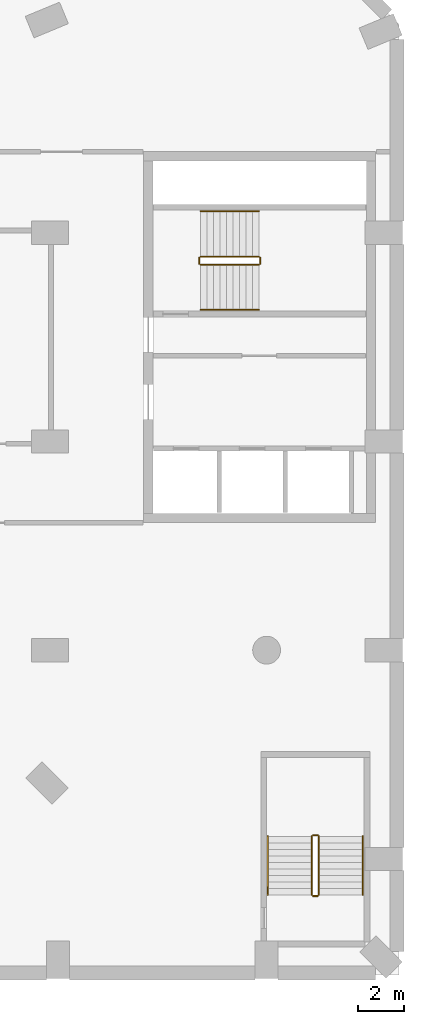
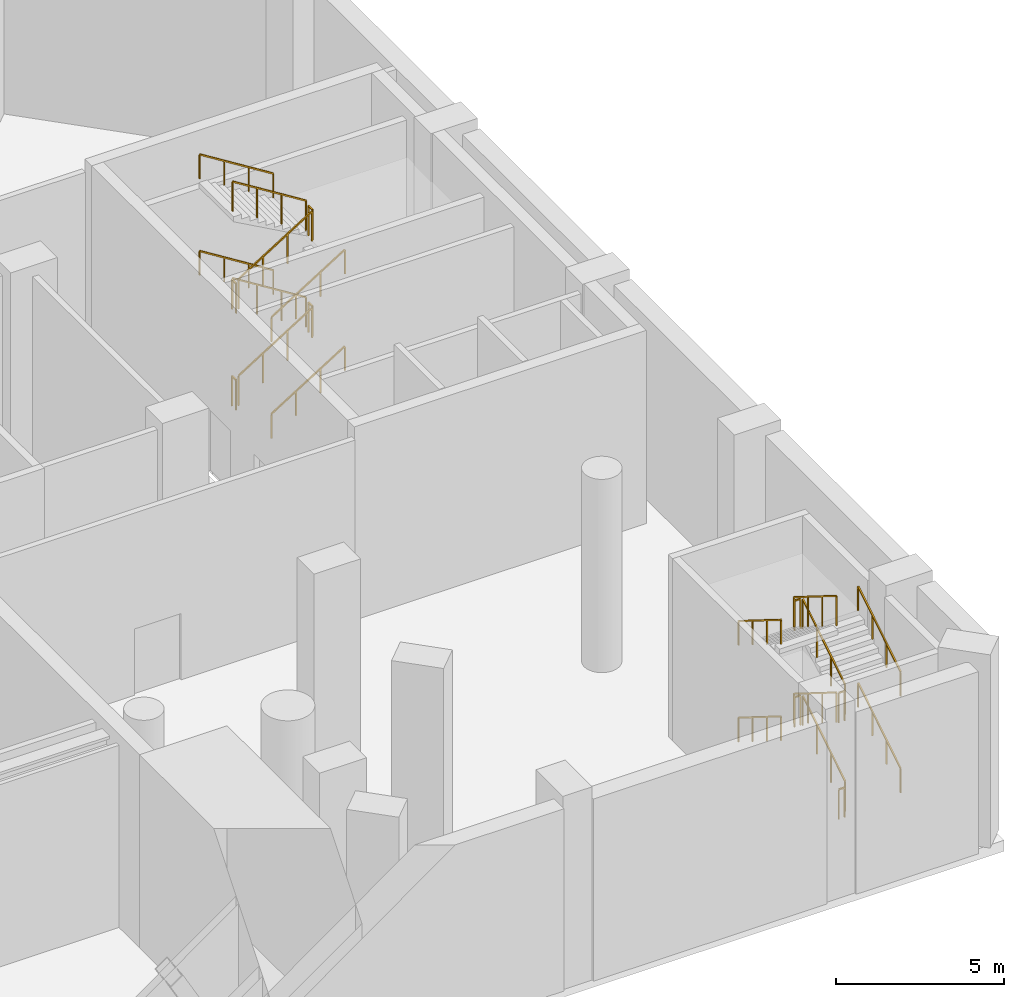
# One storey, part 21 of 21: 24 railings.
"""IFC4 building model written with IfcOpenShell, lengths in metres."""

from ifc_helpers import new_model, si_unit, direction, frame, origin, origin_2d, place, context, subcontext, project, spatial, rectangle, extrude, material, type_object, element, save


model = new_model("IFC4")

# Units and contexts
model_context = context("Model", 3, precision=1e-05, world=origin(), true_north=direction((0.0, 1.0)))
body_context = subcontext(model_context, "Body", "Model", "MODEL_VIEW")
ifc_project = project(units=[si_unit("LENGTHUNIT", "METRE"), si_unit("AREAUNIT", "SQUARE_METRE"), si_unit("VOLUMEUNIT", "CUBIC_METRE"), si_unit("PLANEANGLEUNIT", "RADIAN"), si_unit("MASSUNIT", "GRAM", prefix="KILO")], contexts=[model_context])

# Site, building, storey
site_placement = place(None, origin())
site = spatial("IfcSite", under=ifc_project, at=site_placement, CompositionType="ELEMENT")
building_placement = place(site_placement, origin())
building = spatial("IfcBuilding", under=site, at=building_placement, Name="Cypress Arch Tower", CompositionType="ELEMENT")
storey_placement = place(building_placement, frame((0.0, 0.0, 29.0)))
storey = spatial("IfcBuildingStorey", under=building, at=storey_placement, Name="L03", CompositionType="ELEMENT", Elevation=29.0)

# Railings
ifc_material_1 = material(Name="Black powder-coated steel square bar 48 mm", Category="steel")
railing_type_1 = type_object("IfcRailingType", Name="Stair handrail HR1", PredefinedType="HANDRAIL", material=ifc_material_1)
railing_1_placement = place(storey_placement, frame((30.449951171875, 1.175048828125, 0.175048828125)))
element("IfcRailing", 1, at=railing_1_placement, inside=storey, type_object=railing_type_1, Name="L03 P3 stair handrail 1", PredefinedType="HANDRAIL", context=body_context, shape_type="SweptSolid", body=[
    extrude(rectangle(XDim=0.048095703125, YDim=0.048095703125, at=origin_2d()), frame((0.0, 0.0, 0.8759765625), z_axis=(0.848007534815, 0.0, 0.529984170421), x_axis=(0.0, 1.0, 0.0)), (0.0, 0.0, 1.0), 2.9716796875),
    extrude(rectangle(XDim=0.0419921875, YDim=0.0419921875, at=origin_2d()), origin(), (0.0, 0.0, 1.0), 0.851806640625),
    extrude(rectangle(XDim=0.0419921875, YDim=0.0419921875, at=origin_2d()), frame((0.840087890625, 0.0, 0.52490234375)), (0.0, 0.0, 1.0), 0.851806640625),
    extrude(rectangle(XDim=0.0419921875, YDim=0.0419921875, at=origin_2d()), frame((1.679931640625, 0.0, 1.050048828125)), (0.0, 0.0, 1.0), 0.851806640625),
    extrude(rectangle(XDim=0.0419921875, YDim=0.0419921875, at=origin_2d()), frame((2.52001953125, 0.0, 1.574951171875)), (0.0, 0.0, 1.0), 0.851806640625),
])
railing_2_placement = place(storey_placement, frame((32.969970703125, 5.425048828125, 1.925048828125)))
element("IfcRailing", 2, at=railing_2_placement, inside=storey, type_object=railing_type_1, Name="L03 P3 stair handrail 2", PredefinedType="HANDRAIL", context=body_context, shape_type="SweptSolid", body=[
    extrude(rectangle(XDim=0.048095703125, YDim=0.048095703125, at=origin_2d()), frame((0.0, 0.0, 0.8759765625), z_axis=(-0.848007534815, 0.0, 0.529984170421), x_axis=(0.0, -1.0, 0.0)), (0.0, 0.0, 1.0), 2.9716796875),
    extrude(rectangle(XDim=0.0419921875, YDim=0.0419921875, at=origin_2d()), origin(), (0.0, 0.0, 1.0), 0.851806640625),
    extrude(rectangle(XDim=0.0419921875, YDim=0.0419921875, at=origin_2d()), frame((-0.840087890625, 0.0, 0.52490234375)), (0.0, 0.0, 1.0), 0.851806640625),
    extrude(rectangle(XDim=0.0419921875, YDim=0.0419921875, at=origin_2d()), frame((-1.679931640625, 0.0, 1.050048828125)), (0.0, 0.0, 1.0), 0.851806640625),
    extrude(rectangle(XDim=0.0419921875, YDim=0.0419921875, at=origin_2d()), frame((-2.52001953125, 0.0, 1.574951171875)), (0.0, 0.0, 1.0), 0.851806640625),
])
railing_3_placement = place(storey_placement, frame((30.449951171875, 1.175048828125, 3.675048828125)))
element("IfcRailing", 3, at=railing_3_placement, inside=storey, type_object=railing_type_1, Name="L03 P3 stair handrail 3", PredefinedType="HANDRAIL", context=body_context, shape_type="SweptSolid", body=[
    extrude(rectangle(XDim=0.048095703125, YDim=0.048095703125, at=origin_2d()), frame((0.0, 0.0, 0.8759765625), z_axis=(0.848007534815, 0.0, 0.529984170421), x_axis=(0.0, 1.0, 0.0)), (0.0, 0.0, 1.0), 2.9716796875),
    extrude(rectangle(XDim=0.0419921875, YDim=0.0419921875, at=origin_2d()), origin(), (0.0, 0.0, 1.0), 0.851806640625),
    extrude(rectangle(XDim=0.0419921875, YDim=0.0419921875, at=origin_2d()), frame((0.840087890625, 0.0, 0.52490234375)), (0.0, 0.0, 1.0), 0.851806640625),
    extrude(rectangle(XDim=0.0419921875, YDim=0.0419921875, at=origin_2d()), frame((1.679931640625, 0.0, 1.050048828125)), (0.0, 0.0, 1.0), 0.851806640625),
    extrude(rectangle(XDim=0.0419921875, YDim=0.0419921875, at=origin_2d()), frame((2.52001953125, 0.0, 1.574951171875)), (0.0, 0.0, 1.0), 0.851806640625),
])
railing_4_placement = place(storey_placement, frame((32.969970703125, 5.425048828125, 5.425048828125)))
element("IfcRailing", 4, at=railing_4_placement, inside=storey, type_object=railing_type_1, Name="L03 P3 stair handrail 4", PredefinedType="HANDRAIL", context=body_context, shape_type="SweptSolid", body=[
    extrude(rectangle(XDim=0.048095703125, YDim=0.048095703125, at=origin_2d()), frame((0.0, 0.0, 0.8759765625), z_axis=(-0.848007534815, 0.0, 0.529984170421), x_axis=(0.0, -1.0, 0.0)), (0.0, 0.0, 1.0), 2.9716796875),
    extrude(rectangle(XDim=0.0419921875, YDim=0.0419921875, at=origin_2d()), origin(), (0.0, 0.0, 1.0), 0.851806640625),
    extrude(rectangle(XDim=0.0419921875, YDim=0.0419921875, at=origin_2d()), frame((-0.840087890625, 0.0, 0.52490234375)), (0.0, 0.0, 1.0), 0.851806640625),
    extrude(rectangle(XDim=0.0419921875, YDim=0.0419921875, at=origin_2d()), frame((-1.679931640625, 0.0, 1.050048828125)), (0.0, 0.0, 1.0), 0.851806640625),
    extrude(rectangle(XDim=0.0419921875, YDim=0.0419921875, at=origin_2d()), frame((-2.52001953125, 0.0, 1.574951171875)), (0.0, 0.0, 1.0), 0.851806640625),
])
railing_5_placement = place(storey_placement, frame((37.449951171875, -24.050048828125, 0.175048828125)))
element("IfcRailing", 5, at=railing_5_placement, inside=storey, type_object=railing_type_1, Name="L03 P4 stair handrail 1", PredefinedType="HANDRAIL", context=body_context, shape_type="SweptSolid", body=[
    extrude(rectangle(XDim=0.048095703125, YDim=0.048095703125, at=origin_2d()), frame((0.0, 0.0, 0.8759765625), z_axis=(0.0, 0.848007534815, 0.529984170421), x_axis=(-1.0, 0.0, 0.0)), (0.0, 0.0, 1.0), 2.9716796875),
    extrude(rectangle(XDim=0.0419921875, YDim=0.0419921875, at=origin_2d()), origin(), (0.0, 0.0, 1.0), 0.851806640625),
    extrude(rectangle(XDim=0.0419921875, YDim=0.0419921875, at=origin_2d()), frame((0.0, 0.840087890625, 0.52490234375)), (0.0, 0.0, 1.0), 0.851806640625),
    extrude(rectangle(XDim=0.0419921875, YDim=0.0419921875, at=origin_2d()), frame((0.0, 1.679931640625, 1.050048828125)), (0.0, 0.0, 1.0), 0.851806640625),
    extrude(rectangle(XDim=0.0419921875, YDim=0.0419921875, at=origin_2d()), frame((0.0, 2.52001953125, 1.574951171875)), (0.0, 0.0, 1.0), 0.851806640625),
])
railing_6_placement = place(storey_placement, frame((33.35009765625, -21.530029296875, 1.925048828125)))
element("IfcRailing", 6, at=railing_6_placement, inside=storey, type_object=railing_type_1, Name="L03 P4 stair handrail 2", PredefinedType="HANDRAIL", context=body_context, shape_type="SweptSolid", body=[
    extrude(rectangle(XDim=0.048095703125, YDim=0.048095703125, at=origin_2d()), frame((0.0, 0.0, 0.8759765625), z_axis=(0.0, -0.848007534815, 0.529984170421), x_axis=(1.0, 0.0, 0.0)), (0.0, 0.0, 1.0), 2.9716796875),
    extrude(rectangle(XDim=0.0419921875, YDim=0.0419921875, at=origin_2d()), origin(), (0.0, 0.0, 1.0), 0.851806640625),
    extrude(rectangle(XDim=0.0419921875, YDim=0.0419921875, at=origin_2d()), frame((0.0, -0.840087890625, 0.52490234375)), (0.0, 0.0, 1.0), 0.851806640625),
    extrude(rectangle(XDim=0.0419921875, YDim=0.0419921875, at=origin_2d()), frame((0.0, -1.679931640625, 1.050048828125)), (0.0, 0.0, 1.0), 0.851806640625),
    extrude(rectangle(XDim=0.0419921875, YDim=0.0419921875, at=origin_2d()), frame((0.0, -2.52001953125, 1.574951171875)), (0.0, 0.0, 1.0), 0.851806640625),
])
railing_7_placement = place(storey_placement, frame((37.449951171875, -24.050048828125, 3.675048828125)))
element("IfcRailing", 7, at=railing_7_placement, inside=storey, type_object=railing_type_1, Name="L03 P4 stair handrail 3", PredefinedType="HANDRAIL", context=body_context, shape_type="SweptSolid", body=[
    extrude(rectangle(XDim=0.048095703125, YDim=0.048095703125, at=origin_2d()), frame((0.0, 0.0, 0.8759765625), z_axis=(0.0, 0.848007534815, 0.529984170421), x_axis=(-1.0, 0.0, 0.0)), (0.0, 0.0, 1.0), 2.9716796875),
    extrude(rectangle(XDim=0.0419921875, YDim=0.0419921875, at=origin_2d()), origin(), (0.0, 0.0, 1.0), 0.851806640625),
    extrude(rectangle(XDim=0.0419921875, YDim=0.0419921875, at=origin_2d()), frame((0.0, 0.840087890625, 0.52490234375)), (0.0, 0.0, 1.0), 0.851806640625),
    extrude(rectangle(XDim=0.0419921875, YDim=0.0419921875, at=origin_2d()), frame((0.0, 1.679931640625, 1.050048828125)), (0.0, 0.0, 1.0), 0.851806640625),
    extrude(rectangle(XDim=0.0419921875, YDim=0.0419921875, at=origin_2d()), frame((0.0, 2.52001953125, 1.574951171875)), (0.0, 0.0, 1.0), 0.851806640625),
])
railing_8_placement = place(storey_placement, frame((33.35009765625, -21.530029296875, 5.425048828125)))
element("IfcRailing", 8, at=railing_8_placement, inside=storey, type_object=railing_type_1, Name="L03 P4 stair handrail 4", PredefinedType="HANDRAIL", context=body_context, shape_type="SweptSolid", body=[
    extrude(rectangle(XDim=0.048095703125, YDim=0.048095703125, at=origin_2d()), frame((0.0, 0.0, 0.8759765625), z_axis=(0.0, -0.848007534815, 0.529984170421), x_axis=(1.0, 0.0, 0.0)), (0.0, 0.0, 1.0), 2.9716796875),
    extrude(rectangle(XDim=0.0419921875, YDim=0.0419921875, at=origin_2d()), origin(), (0.0, 0.0, 1.0), 0.851806640625),
    extrude(rectangle(XDim=0.0419921875, YDim=0.0419921875, at=origin_2d()), frame((0.0, -0.840087890625, 0.52490234375)), (0.0, 0.0, 1.0), 0.851806640625),
    extrude(rectangle(XDim=0.0419921875, YDim=0.0419921875, at=origin_2d()), frame((0.0, -1.679931640625, 1.050048828125)), (0.0, 0.0, 1.0), 0.851806640625),
    extrude(rectangle(XDim=0.0419921875, YDim=0.0419921875, at=origin_2d()), frame((0.0, -2.52001953125, 1.574951171875)), (0.0, 0.0, 1.0), 0.851806640625),
])
ifc_material_2 = material(Name="Black powder-coated steel balusters", Category="steel")
railing_type_2 = type_object("IfcRailingType", Name="Stair well guard G1", PredefinedType="GUARDRAIL", material=ifc_material_2)
railing_9_placement = place(storey_placement, frame((30.449951171875, 3.125, 0.175048828125)))
element("IfcRailing", 9, at=railing_9_placement, inside=storey, type_object=railing_type_2, Name="L03 P3 stair guard 1", PredefinedType="GUARDRAIL", context=body_context, shape_type="SweptSolid", body=[
    extrude(rectangle(XDim=0.048095703125, YDim=0.048095703125, at=origin_2d()), frame((0.0, 0.0, 1.076171875), z_axis=(0.848007534815, 0.0, 0.529984170421), x_axis=(0.0, 1.0, 0.0)), (0.0, 0.0, 1.0), 2.9716796875),
    extrude(rectangle(XDim=0.0419921875, YDim=0.0419921875, at=origin_2d()), origin(), (0.0, 0.0, 1.0), 1.052001953125),
    extrude(rectangle(XDim=0.0419921875, YDim=0.0419921875, at=origin_2d()), frame((0.840087890625, 0.0, 0.52490234375)), (0.0, 0.0, 1.0), 1.052001953125),
    extrude(rectangle(XDim=0.0419921875, YDim=0.0419921875, at=origin_2d()), frame((1.679931640625, 0.0, 1.050048828125)), (0.0, 0.0, 1.0), 1.052001953125),
    extrude(rectangle(XDim=0.0419921875, YDim=0.0419921875, at=origin_2d()), frame((2.52001953125, 0.0, 1.574951171875)), (0.0, 0.0, 1.0), 1.052001953125),
])
railing_10_placement = place(storey_placement, frame((33.02001953125, 3.175048828125, 1.75)))
element("IfcRailing", 10, at=railing_10_placement, inside=storey, type_object=railing_type_2, Name="L03 P3 stair guard 2", PredefinedType="GUARDRAIL", context=body_context, shape_type="SweptSolid", body=[
    extrude(rectangle(XDim=0.048095703125, YDim=0.048095703125, at=origin_2d()), frame((0.0, 0.0, 1.076171875), z_axis=(0.0, 1.0, 0.0), x_axis=(-1.0, 0.0, 0.0)), (0.0, 0.0, 1.0), 0.25),
    extrude(rectangle(XDim=0.0419921875, YDim=0.0419921875, at=origin_2d()), origin(), (0.0, 0.0, 1.0), 1.052001953125),
    extrude(rectangle(XDim=0.0419921875, YDim=0.0419921875, at=origin_2d()), frame((0.0, 0.25, 0.0)), (0.0, 0.0, 1.0), 1.052001953125),
])
railing_11_placement = place(storey_placement, frame((32.969970703125, 3.47509765625, 1.925048828125)))
element("IfcRailing", 11, at=railing_11_placement, inside=storey, type_object=railing_type_2, Name="L03 P3 stair guard 3", PredefinedType="GUARDRAIL", context=body_context, shape_type="SweptSolid", body=[
    extrude(rectangle(XDim=0.048095703125, YDim=0.048095703125, at=origin_2d()), frame((0.0, 0.0, 1.076171875), z_axis=(-0.848007534815, 0.0, 0.529984170421), x_axis=(0.0, -1.0, 0.0)), (0.0, 0.0, 1.0), 2.9716796875),
    extrude(rectangle(XDim=0.0419921875, YDim=0.0419921875, at=origin_2d()), origin(), (0.0, 0.0, 1.0), 1.052001953125),
    extrude(rectangle(XDim=0.0419921875, YDim=0.0419921875, at=origin_2d()), frame((-0.840087890625, 0.0, 0.52490234375)), (0.0, 0.0, 1.0), 1.052001953125),
    extrude(rectangle(XDim=0.0419921875, YDim=0.0419921875, at=origin_2d()), frame((-1.679931640625, 0.0, 1.050048828125)), (0.0, 0.0, 1.0), 1.052001953125),
    extrude(rectangle(XDim=0.0419921875, YDim=0.0419921875, at=origin_2d()), frame((-2.52001953125, 0.0, 1.574951171875)), (0.0, 0.0, 1.0), 1.052001953125),
])
railing_12_placement = place(storey_placement, frame((30.39990234375, 3.175048828125, 3.5)))
element("IfcRailing", 12, at=railing_12_placement, inside=storey, type_object=railing_type_2, Name="L03 P3 stair guard 4", PredefinedType="GUARDRAIL", context=body_context, shape_type="SweptSolid", body=[
    extrude(rectangle(XDim=0.048095703125, YDim=0.048095703125, at=origin_2d()), frame((0.0, 0.0, 1.076171875), z_axis=(0.0, 1.0, 0.0), x_axis=(-1.0, 0.0, 0.0)), (0.0, 0.0, 1.0), 0.25),
    extrude(rectangle(XDim=0.0419921875, YDim=0.0419921875, at=origin_2d()), origin(), (0.0, 0.0, 1.0), 1.052001953125),
    extrude(rectangle(XDim=0.0419921875, YDim=0.0419921875, at=origin_2d()), frame((0.0, 0.25, 0.0)), (0.0, 0.0, 1.0), 1.052001953125),
])
railing_13_placement = place(storey_placement, frame((30.449951171875, 3.125, 3.675048828125)))
element("IfcRailing", 13, at=railing_13_placement, inside=storey, type_object=railing_type_2, Name="L03 P3 stair guard 5", PredefinedType="GUARDRAIL", context=body_context, shape_type="SweptSolid", body=[
    extrude(rectangle(XDim=0.048095703125, YDim=0.048095703125, at=origin_2d()), frame((0.0, 0.0, 1.076171875), z_axis=(0.848007534815, 0.0, 0.529984170421), x_axis=(0.0, 1.0, 0.0)), (0.0, 0.0, 1.0), 2.9716796875),
    extrude(rectangle(XDim=0.0419921875, YDim=0.0419921875, at=origin_2d()), origin(), (0.0, 0.0, 1.0), 1.052001953125),
    extrude(rectangle(XDim=0.0419921875, YDim=0.0419921875, at=origin_2d()), frame((0.840087890625, 0.0, 0.52490234375)), (0.0, 0.0, 1.0), 1.052001953125),
    extrude(rectangle(XDim=0.0419921875, YDim=0.0419921875, at=origin_2d()), frame((1.679931640625, 0.0, 1.050048828125)), (0.0, 0.0, 1.0), 1.052001953125),
    extrude(rectangle(XDim=0.0419921875, YDim=0.0419921875, at=origin_2d()), frame((2.52001953125, 0.0, 1.574951171875)), (0.0, 0.0, 1.0), 1.052001953125),
])
railing_14_placement = place(storey_placement, frame((33.02001953125, 3.175048828125, 5.25)))
element("IfcRailing", 14, at=railing_14_placement, inside=storey, type_object=railing_type_2, Name="L03 P3 stair guard 6", PredefinedType="GUARDRAIL", context=body_context, shape_type="SweptSolid", body=[
    extrude(rectangle(XDim=0.048095703125, YDim=0.048095703125, at=origin_2d()), frame((0.0, 0.0, 1.076171875), z_axis=(0.0, 1.0, 0.0), x_axis=(-1.0, 0.0, 0.0)), (0.0, 0.0, 1.0), 0.25),
    extrude(rectangle(XDim=0.0419921875, YDim=0.0419921875, at=origin_2d()), origin(), (0.0, 0.0, 1.0), 1.052001953125),
    extrude(rectangle(XDim=0.0419921875, YDim=0.0419921875, at=origin_2d()), frame((0.0, 0.25, 0.0)), (0.0, 0.0, 1.0), 1.052001953125),
])
railing_15_placement = place(storey_placement, frame((32.969970703125, 3.47509765625, 5.425048828125)))
element("IfcRailing", 15, at=railing_15_placement, inside=storey, type_object=railing_type_2, Name="L03 P3 stair guard 7", PredefinedType="GUARDRAIL", context=body_context, shape_type="SweptSolid", body=[
    extrude(rectangle(XDim=0.048095703125, YDim=0.048095703125, at=origin_2d()), frame((0.0, 0.0, 1.076171875), z_axis=(-0.848007534815, 0.0, 0.529984170421), x_axis=(0.0, -1.0, 0.0)), (0.0, 0.0, 1.0), 2.9716796875),
    extrude(rectangle(XDim=0.0419921875, YDim=0.0419921875, at=origin_2d()), origin(), (0.0, 0.0, 1.0), 1.052001953125),
    extrude(rectangle(XDim=0.0419921875, YDim=0.0419921875, at=origin_2d()), frame((-0.840087890625, 0.0, 0.52490234375)), (0.0, 0.0, 1.0), 1.052001953125),
    extrude(rectangle(XDim=0.0419921875, YDim=0.0419921875, at=origin_2d()), frame((-1.679931640625, 0.0, 1.050048828125)), (0.0, 0.0, 1.0), 1.052001953125),
    extrude(rectangle(XDim=0.0419921875, YDim=0.0419921875, at=origin_2d()), frame((-2.52001953125, 0.0, 1.574951171875)), (0.0, 0.0, 1.0), 1.052001953125),
])
railing_16_placement = place(storey_placement, frame((30.39990234375, 3.175048828125, 0.0)))
element("IfcRailing", 16, at=railing_16_placement, inside=storey, type_object=railing_type_2, Name="L03 P3 stair guard 8", PredefinedType="GUARDRAIL", context=body_context, shape_type="SweptSolid", body=[
    extrude(rectangle(XDim=0.048095703125, YDim=0.048095703125, at=origin_2d()), frame((0.0, 0.0, 1.076171875), z_axis=(0.0, 1.0, 0.0), x_axis=(-1.0, 0.0, 0.0)), (0.0, 0.0, 1.0), 0.25),
    extrude(rectangle(XDim=0.0419921875, YDim=0.0419921875, at=origin_2d()), origin(), (0.0, 0.0, 1.0), 1.052001953125),
    extrude(rectangle(XDim=0.0419921875, YDim=0.0419921875, at=origin_2d()), frame((0.0, 0.25, 0.0)), (0.0, 0.0, 1.0), 1.052001953125),
])
railing_17_placement = place(storey_placement, frame((35.550048828125, -24.050048828125, 0.175048828125)))
element("IfcRailing", 17, at=railing_17_placement, inside=storey, type_object=railing_type_2, Name="L03 P4 stair guard 1", PredefinedType="GUARDRAIL", context=body_context, shape_type="SweptSolid", body=[
    extrude(rectangle(XDim=0.048095703125, YDim=0.048095703125, at=origin_2d()), frame((0.0, 0.0, 1.076171875), z_axis=(0.0, 0.848007534815, 0.529984170421), x_axis=(-1.0, 0.0, 0.0)), (0.0, 0.0, 1.0), 2.9716796875),
    extrude(rectangle(XDim=0.0419921875, YDim=0.0419921875, at=origin_2d()), origin(), (0.0, 0.0, 1.0), 1.052001953125),
    extrude(rectangle(XDim=0.0419921875, YDim=0.0419921875, at=origin_2d()), frame((0.0, 0.840087890625, 0.52490234375)), (0.0, 0.0, 1.0), 1.052001953125),
    extrude(rectangle(XDim=0.0419921875, YDim=0.0419921875, at=origin_2d()), frame((0.0, 1.679931640625, 1.050048828125)), (0.0, 0.0, 1.0), 1.052001953125),
    extrude(rectangle(XDim=0.0419921875, YDim=0.0419921875, at=origin_2d()), frame((0.0, 2.52001953125, 1.574951171875)), (0.0, 0.0, 1.0), 1.052001953125),
])
railing_18_placement = place(storey_placement, frame((35.5, -21.47998046875, 1.75)))
element("IfcRailing", 18, at=railing_18_placement, inside=storey, type_object=railing_type_2, Name="L03 P4 stair guard 2", PredefinedType="GUARDRAIL", context=body_context, shape_type="SweptSolid", body=[
    extrude(rectangle(XDim=0.048095703125, YDim=0.048095703125, at=origin_2d()), frame((0.0, 0.0, 1.076171875), z_axis=(-1.0, 0.0, 0.0), x_axis=(0.0, -1.0, 0.0)), (0.0, 0.0, 1.0), 0.199951171875),
    extrude(rectangle(XDim=0.0419921875, YDim=0.0419921875, at=origin_2d()), origin(), (0.0, 0.0, 1.0), 1.052001953125),
    extrude(rectangle(XDim=0.0419921875, YDim=0.0419921875, at=origin_2d()), frame((-0.199951171875, 0.0, 0.0)), (0.0, 0.0, 1.0), 1.052001953125),
])
railing_19_placement = place(storey_placement, frame((35.25, -21.530029296875, 1.925048828125)))
element("IfcRailing", 19, at=railing_19_placement, inside=storey, type_object=railing_type_2, Name="L03 P4 stair guard 3", PredefinedType="GUARDRAIL", context=body_context, shape_type="SweptSolid", body=[
    extrude(rectangle(XDim=0.048095703125, YDim=0.048095703125, at=origin_2d()), frame((0.0, 0.0, 1.076171875), z_axis=(0.0, -0.848007534815, 0.529984170421), x_axis=(1.0, 0.0, 0.0)), (0.0, 0.0, 1.0), 2.9716796875),
    extrude(rectangle(XDim=0.0419921875, YDim=0.0419921875, at=origin_2d()), origin(), (0.0, 0.0, 1.0), 1.052001953125),
    extrude(rectangle(XDim=0.0419921875, YDim=0.0419921875, at=origin_2d()), frame((0.0, -0.840087890625, 0.52490234375)), (0.0, 0.0, 1.0), 1.052001953125),
    extrude(rectangle(XDim=0.0419921875, YDim=0.0419921875, at=origin_2d()), frame((0.0, -1.679931640625, 1.050048828125)), (0.0, 0.0, 1.0), 1.052001953125),
    extrude(rectangle(XDim=0.0419921875, YDim=0.0419921875, at=origin_2d()), frame((0.0, -2.52001953125, 1.574951171875)), (0.0, 0.0, 1.0), 1.052001953125),
])
railing_20_placement = place(storey_placement, frame((35.5, -24.10009765625, 3.5)))
element("IfcRailing", 20, at=railing_20_placement, inside=storey, type_object=railing_type_2, Name="L03 P4 stair guard 4", PredefinedType="GUARDRAIL", context=body_context, shape_type="SweptSolid", body=[
    extrude(rectangle(XDim=0.048095703125, YDim=0.048095703125, at=origin_2d()), frame((0.0, 0.0, 1.076171875), z_axis=(-1.0, 0.0, 0.0), x_axis=(0.0, -1.0, 0.0)), (0.0, 0.0, 1.0), 0.199951171875),
    extrude(rectangle(XDim=0.0419921875, YDim=0.0419921875, at=origin_2d()), origin(), (0.0, 0.0, 1.0), 1.052001953125),
    extrude(rectangle(XDim=0.0419921875, YDim=0.0419921875, at=origin_2d()), frame((-0.199951171875, 0.0, 0.0)), (0.0, 0.0, 1.0), 1.052001953125),
])
railing_21_placement = place(storey_placement, frame((35.550048828125, -24.050048828125, 3.675048828125)))
element("IfcRailing", 21, at=railing_21_placement, inside=storey, type_object=railing_type_2, Name="L03 P4 stair guard 5", PredefinedType="GUARDRAIL", context=body_context, shape_type="SweptSolid", body=[
    extrude(rectangle(XDim=0.048095703125, YDim=0.048095703125, at=origin_2d()), frame((0.0, 0.0, 1.076171875), z_axis=(0.0, 0.848007534815, 0.529984170421), x_axis=(-1.0, 0.0, 0.0)), (0.0, 0.0, 1.0), 2.9716796875),
    extrude(rectangle(XDim=0.0419921875, YDim=0.0419921875, at=origin_2d()), origin(), (0.0, 0.0, 1.0), 1.052001953125),
    extrude(rectangle(XDim=0.0419921875, YDim=0.0419921875, at=origin_2d()), frame((0.0, 0.840087890625, 0.52490234375)), (0.0, 0.0, 1.0), 1.052001953125),
    extrude(rectangle(XDim=0.0419921875, YDim=0.0419921875, at=origin_2d()), frame((0.0, 1.679931640625, 1.050048828125)), (0.0, 0.0, 1.0), 1.052001953125),
    extrude(rectangle(XDim=0.0419921875, YDim=0.0419921875, at=origin_2d()), frame((0.0, 2.52001953125, 1.574951171875)), (0.0, 0.0, 1.0), 1.052001953125),
])
railing_22_placement = place(storey_placement, frame((35.5, -21.47998046875, 5.25)))
element("IfcRailing", 22, at=railing_22_placement, inside=storey, type_object=railing_type_2, Name="L03 P4 stair guard 6", PredefinedType="GUARDRAIL", context=body_context, shape_type="SweptSolid", body=[
    extrude(rectangle(XDim=0.048095703125, YDim=0.048095703125, at=origin_2d()), frame((0.0, 0.0, 1.076171875), z_axis=(-1.0, 0.0, 0.0), x_axis=(0.0, -1.0, 0.0)), (0.0, 0.0, 1.0), 0.199951171875),
    extrude(rectangle(XDim=0.0419921875, YDim=0.0419921875, at=origin_2d()), origin(), (0.0, 0.0, 1.0), 1.052001953125),
    extrude(rectangle(XDim=0.0419921875, YDim=0.0419921875, at=origin_2d()), frame((-0.199951171875, 0.0, 0.0)), (0.0, 0.0, 1.0), 1.052001953125),
])
railing_23_placement = place(storey_placement, frame((35.25, -21.530029296875, 5.425048828125)))
element("IfcRailing", 23, at=railing_23_placement, inside=storey, type_object=railing_type_2, Name="L03 P4 stair guard 7", PredefinedType="GUARDRAIL", context=body_context, shape_type="SweptSolid", body=[
    extrude(rectangle(XDim=0.048095703125, YDim=0.048095703125, at=origin_2d()), frame((0.0, 0.0, 1.076171875), z_axis=(0.0, -0.848007534815, 0.529984170421), x_axis=(1.0, 0.0, 0.0)), (0.0, 0.0, 1.0), 2.9716796875),
    extrude(rectangle(XDim=0.0419921875, YDim=0.0419921875, at=origin_2d()), origin(), (0.0, 0.0, 1.0), 1.052001953125),
    extrude(rectangle(XDim=0.0419921875, YDim=0.0419921875, at=origin_2d()), frame((0.0, -0.840087890625, 0.52490234375)), (0.0, 0.0, 1.0), 1.052001953125),
    extrude(rectangle(XDim=0.0419921875, YDim=0.0419921875, at=origin_2d()), frame((0.0, -1.679931640625, 1.050048828125)), (0.0, 0.0, 1.0), 1.052001953125),
    extrude(rectangle(XDim=0.0419921875, YDim=0.0419921875, at=origin_2d()), frame((0.0, -2.52001953125, 1.574951171875)), (0.0, 0.0, 1.0), 1.052001953125),
])
railing_24_placement = place(storey_placement, frame((35.5, -24.10009765625, 0.0)))
element("IfcRailing", 24, at=railing_24_placement, inside=storey, type_object=railing_type_2, Name="L03 P4 stair guard 8", PredefinedType="GUARDRAIL", context=body_context, shape_type="SweptSolid", body=[
    extrude(rectangle(XDim=0.048095703125, YDim=0.048095703125, at=origin_2d()), frame((0.0, 0.0, 1.076171875), z_axis=(-1.0, 0.0, 0.0), x_axis=(0.0, -1.0, 0.0)), (0.0, 0.0, 1.0), 0.199951171875),
    extrude(rectangle(XDim=0.0419921875, YDim=0.0419921875, at=origin_2d()), origin(), (0.0, 0.0, 1.0), 1.052001953125),
    extrude(rectangle(XDim=0.0419921875, YDim=0.0419921875, at=origin_2d()), frame((-0.199951171875, 0.0, 0.0)), (0.0, 0.0, 1.0), 1.052001953125),
])

save(model, "model.ifc")
